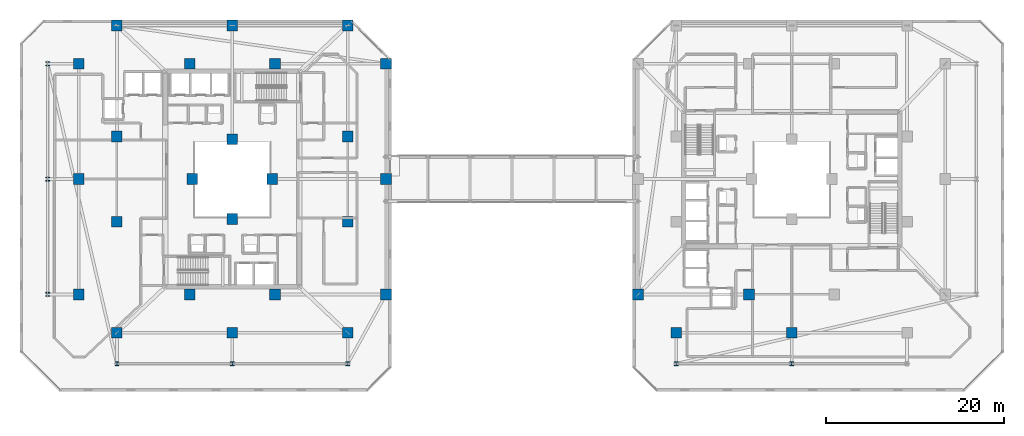
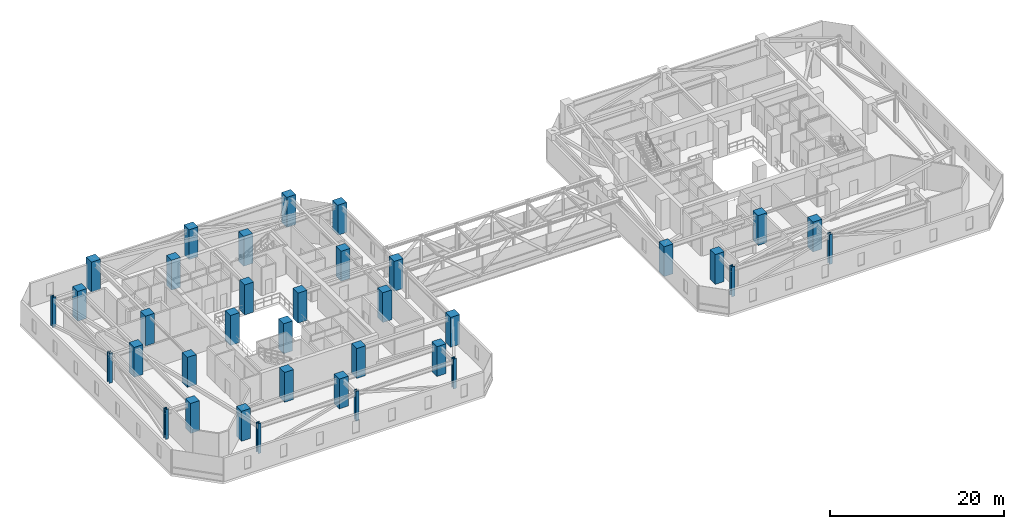
# One storey, part 1 of 45: 36 columns.
"""IFC4 building model written with IfcOpenShell, lengths in metres."""

from ifc_helpers import new_model, si_unit, direction, frame, origin, origin_2d, place, context, subcontext, project, spatial, rectangle, i_section, extrude, material, material_profile, profile_set, type_object, element, save


model = new_model("IFC4")

# Units and contexts
model_context = context("Model", 3, precision=1e-05, world=origin(), true_north=direction((0.0, 1.0)))
body_context = subcontext(model_context, "Body", "Model", "MODEL_VIEW")
ifc_project = project(units=[si_unit("LENGTHUNIT", "METRE"), si_unit("AREAUNIT", "SQUARE_METRE"), si_unit("VOLUMEUNIT", "CUBIC_METRE"), si_unit("PLANEANGLEUNIT", "RADIAN"), si_unit("MASSUNIT", "GRAM", prefix="KILO")], contexts=[model_context])

# Site, building, storey
site_placement = place(None, origin())
site = spatial("IfcSite", under=ifc_project, at=site_placement, CompositionType="ELEMENT")
building_placement = place(site_placement, origin())
building = spatial("IfcBuilding", under=site, at=building_placement, Name="Thornwick Lancets Civic Towers", CompositionType="ELEMENT")
storey_placement = place(building_placement, frame((0.0, 0.0, 141.300048828125)))
storey = spatial("IfcBuildingStorey", under=building, at=storey_placement, Name="L37", CompositionType="ELEMENT", Elevation=141.300048828125)

# Columns
ifc_material_1 = material(Name="Concrete C60/75", Category="concrete")
ifc_material_profile_1 = material_profile(ifc_material_1, rectangle(XDim=1.199951171875, YDim=1.199951171875, at=origin_2d()), Name="RC 1200x1200")
ifc_profile_set_1 = profile_set([ifc_material_profile_1], Name="Concrete C60/75")
column_type_1 = type_object("IfcColumnType", Name="COL_RC_1200", PredefinedType="COLUMN", material=ifc_profile_set_1)
for number, where, z_axis, x_axis, name in (
    (1, (12.5, 9.699951171875, 0.0), (0.0, 0.0, 1.0), (1.0, 0.0, 0.0), "L37 Spine Mega-Column A01"),
    (2, (25.5, 9.699951171875, 0.0), (0.0, 0.0, 1.0), (1.0, 0.0, 0.0), "L37 Spine Mega-Column A02"),
    (3, (38.5, 9.699951171875, 0.0), (0.0, 0.0, 1.0), (1.0, 0.0, 0.0), "L37 Spine Mega-Column A03"),
    (4, (42.800048828125, 14.0, 0.0), (0.0, 0.0, 1.0), (1.0, 0.0, 0.0), "L37 Spine Mega-Column A04"),
    (5, (42.800048828125, 27.0, 0.0), (0.0, 0.0, 1.0), (1.0, 0.0, 0.0), "L37 Spine Mega-Column A05"),
    (6, (42.800048828125, 40.0, 0.0), (0.0, 0.0, 1.0), (1.0, 0.0, 0.0), "L37 Spine Mega-Column A06"),
    (7, (12.5, 44.300048828125, 0.0), (0.0, 0.0, 1.0), (1.0, 0.0, 0.0), "L37 Spine Mega-Column A07"),
    (8, (25.5, 44.300048828125, 0.0), (0.0, 0.0, 1.0), (1.0, 0.0, 0.0), "L37 Spine Mega-Column A08"),
    (9, (38.5, 44.300048828125, 0.0), (0.0, 0.0, 1.0), (1.0, 0.0, 0.0), "L37 Spine Mega-Column A09"),
    (10, (8.199951171875, 14.0, 0.0), (0.0, 0.0, 1.0), (1.0, 0.0, 0.0), "L37 Spine Mega-Column A10"),
    (11, (8.199951171875, 27.0, 0.0), (0.0, 0.0, 1.0), (1.0, 0.0, 0.0), "L37 Spine Mega-Column A11"),
    (12, (8.199951171875, 40.0, 0.0), (0.0, 0.0, 1.0), (1.0, 0.0, 0.0), "L37 Spine Mega-Column A12"),
    (13, (12.5, 22.199951171875, 0.0), (0.0, 0.0, 1.0), (1.0, 0.0, 0.0), "L37 Spine Mega-Column A13"),
    (14, (38.5, 22.199951171875, 0.0), (0.0, 0.0, 1.0), (1.0, 0.0, 0.0), "L37 Spine Mega-Column A14"),
    (15, (12.5, 31.800048828125, 0.0), (0.0, 0.0, 1.0), (1.0, 0.0, 0.0), "L37 Spine Mega-Column A15"),
    (16, (38.5, 31.800048828125, 0.0), (0.0, 0.0, 1.0), (1.0, 0.0, 0.0), "L37 Spine Mega-Column A16"),
    (17, (20.699951171875, 14.0, 0.0), (0.0, 0.0, 1.0), (1.0, 0.0, 0.0), "L37 Spine Mega-Column A17"),
    (18, (30.300048828125, 14.0, 0.0), (0.0, 0.0, 1.0), (1.0, 0.0, 0.0), "L37 Spine Mega-Column A18"),
    (19, (20.699951171875, 40.0, 0.0), (0.0, 0.0, 1.0), (1.0, 0.0, 0.0), "L37 Spine Mega-Column A19"),
    (20, (30.300048828125, 40.0, 0.0), (0.0, 0.0, 1.0), (1.0, 0.0, 0.0), "L37 Spine Mega-Column A20"),
    (21, (25.5, 22.5, 0.0), (0.0, 0.0, 1.0), (1.0, 0.0, 0.0), "L37 Spine Mega-Column A21"),
    (22, (25.5, 31.5, 0.0), (0.0, 0.0, 1.0), (1.0, 0.0, 0.0), "L37 Spine Mega-Column A22"),
    (23, (21.0, 27.0, 0.0), (0.0, 0.0, 1.0), (1.0, 0.0, 0.0), "L37 Spine Mega-Column A23"),
    (24, (30.0, 27.0, 0.0), (0.0, 0.0, 1.0), (1.0, 0.0, 0.0), "L37 Spine Mega-Column A24"),
    (25, (71.199951171875, 14.0, 0.0), (0.0, 0.0, 1.0), (1.0, 0.0, 0.0), "L37 Spine Mega-Column B07"),
    (26, (88.5, 9.699951171875, 0.0), (0.0, 0.0, 1.0), (1.0, 0.0, 0.0), "L37 Spine Mega-Column B11"),
    (27, (75.5, 9.699951171875, 0.0), (0.0, 0.0, 1.0), (1.0, 0.0, 0.0), "L37 Spine Mega-Column B12"),
    (28, (83.699951171875, 14.0, 0.0), (0.0, 0.0, 1.0), (1.0, 0.0, 0.0), "L37 Spine Mega-Column B15"),
):
    element("IfcColumn", number, at=place(storey_placement, frame(where, z_axis=z_axis, x_axis=x_axis)), inside=storey, type_object=column_type_1, Name=name, PredefinedType="COLUMN", context=body_context, shape_type="SweptSolid", body=[
        extrude(rectangle(XDim=1.199951171875, YDim=1.199951171875, at=origin_2d()), origin(), (0.0, 0.0, 1.0), 4.199951171875),
    ])
ifc_material_2 = material(Name="Steel S460M", Category="steel")
ifc_material_profile_2 = material_profile(ifc_material_2, i_section(OverallWidth=0.41845703125, OverallDepth=0.45556640625, WebThickness=0.0419921875, FlangeThickness=0.0673828125, FilletRadius=0.01513671875, at=origin_2d()), Name="UKC 356x406x551")
ifc_profile_set_2 = profile_set([ifc_material_profile_2], Name="Steel S460M")
column_type_2 = type_object("IfcColumnType", Name="COL_UKC_551", PredefinedType="COLUMN", material=ifc_profile_set_2)
for number, where, z_axis, x_axis, name in (
    (29, (12.5, 6.199951171875, 0.0), (0.0, 0.0, 1.0), (1.0, 0.0, 0.0), "L37 Block Perimeter Column A01"),
    (30, (25.5, 6.199951171875, 0.0), (0.0, 0.0, 1.0), (1.0, 0.0, 0.0), "L37 Block Perimeter Column A02"),
    (31, (38.5, 6.199951171875, 0.0), (0.0, 0.0, 1.0), (1.0, 0.0, 0.0), "L37 Block Perimeter Column A03"),
    (32, (4.699951171875, 14.0, 0.0), (0.0, 0.0, 1.0), (1.0, 0.0, 0.0), "L37 Block Perimeter Column A10"),
    (33, (4.699951171875, 27.0, 0.0), (0.0, 0.0, 1.0), (1.0, 0.0, 0.0), "L37 Block Perimeter Column A11"),
    (34, (4.699951171875, 40.0, 0.0), (0.0, 0.0, 1.0), (1.0, 0.0, 0.0), "L37 Block Perimeter Column A12"),
    (35, (88.5, 6.199951171875, 0.0), (0.0, 0.0, 1.0), (1.0, 0.0, 0.0), "L37 Block Perimeter Column B11"),
    (36, (75.5, 6.199951171875, 0.0), (0.0, 0.0, 1.0), (1.0, 0.0, 0.0), "L37 Block Perimeter Column B12"),
):
    element("IfcColumn", number, at=place(storey_placement, frame(where, z_axis=z_axis, x_axis=x_axis)), inside=storey, type_object=column_type_2, Name=name, PredefinedType="COLUMN", context=body_context, shape_type="SweptSolid", body=[
        extrude(i_section(OverallWidth=0.41845703125, OverallDepth=0.45556640625, WebThickness=0.0419921875, FlangeThickness=0.0673828125, FilletRadius=0.01513671875, at=origin_2d()), origin(), (0.0, 0.0, 1.0), 4.199951171875),
    ])

save(model, "model.ifc")
